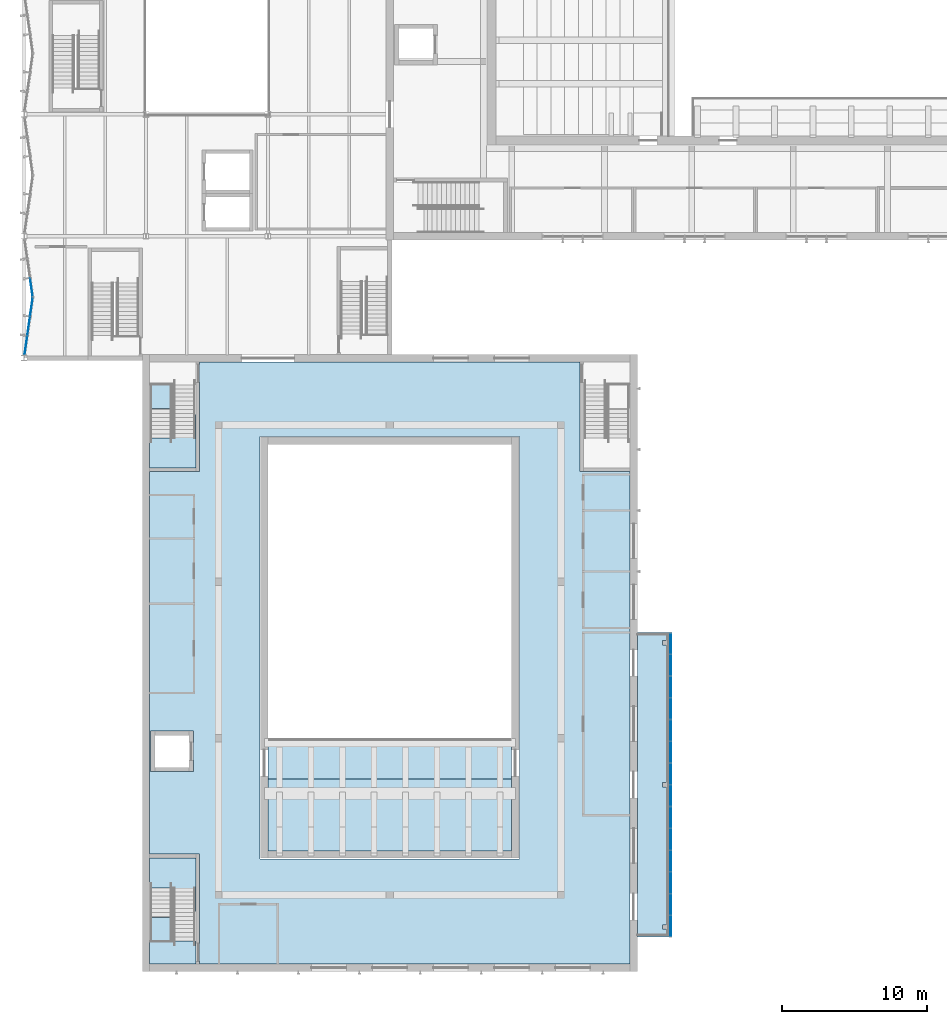
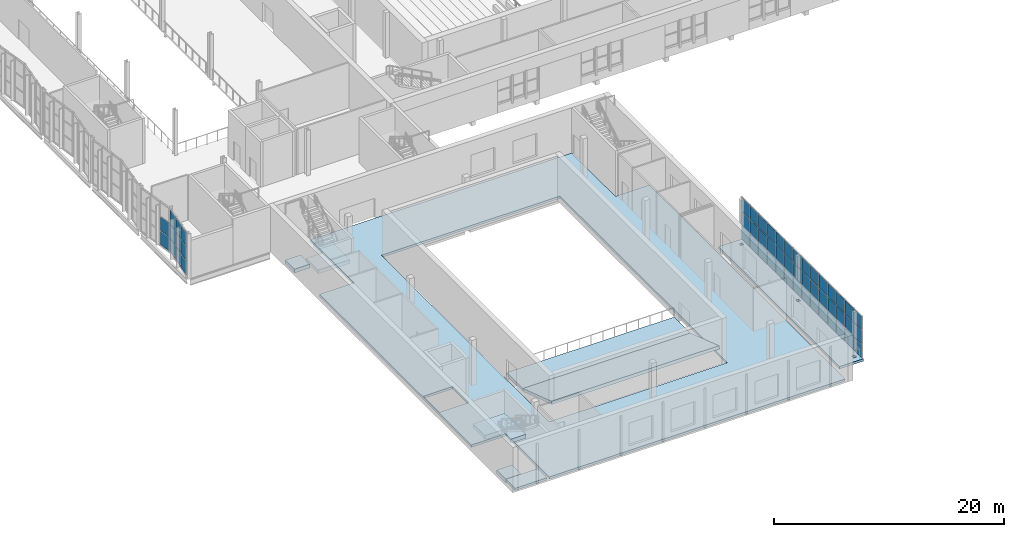
# One storey, part 54 of 127: 53 plates, 9 slabs, 5 elements without a shape of their own.
"""IFC4 building model written with IfcOpenShell, lengths in metres."""

from ifc_helpers import new_model, si_unit, direction, frame, origin, origin_2d, place, context, subcontext, project, spatial, polyline, rectangle, outline, extrude, material, layer, layer_set, type_object, element, aggregate, save


model = new_model("IFC4")

# Units and contexts
model_context = context("Model", 3, precision=1e-05, world=origin(), true_north=direction((0.0, 1.0)))
body_context = subcontext(model_context, "Body", "Model", "MODEL_VIEW")
ifc_project = project(units=[si_unit("LENGTHUNIT", "METRE"), si_unit("AREAUNIT", "SQUARE_METRE"), si_unit("VOLUMEUNIT", "CUBIC_METRE"), si_unit("PLANEANGLEUNIT", "RADIAN"), si_unit("MASSUNIT", "GRAM", prefix="KILO")], contexts=[model_context])

# Site, building, storey
site_placement = place(None, origin())
site = spatial("IfcSite", under=ifc_project, at=site_placement, CompositionType="ELEMENT")
building_placement = place(site_placement, origin())
building = spatial("IfcBuilding", under=site, at=building_placement, Name="Ljudholm Concert House", CompositionType="ELEMENT")
storey_placement = place(building_placement, frame((0.0, 0.0, 5.39990234375)))
storey = spatial("IfcBuildingStorey", under=building, at=storey_placement, Name="L01", CompositionType="ELEMENT", Elevation=5.39990234375)

# Curtain wall, plates
ifc_material_1 = material(Name="Aluminium curtain wall with impact-rated laminated glass", Category="aluminium")
curtain_wall_type_1 = type_object("IfcCurtainWallType", Name="CURTAIN WALL 1400", PredefinedType="NOTDEFINED", material=ifc_material_1)
curtain_wall_1_placement = place(storey_placement, origin())
curtain_wall_1 = element("IfcCurtainWall", 1, at=curtain_wall_1_placement, inside=storey, type_object=curtain_wall_type_1, Name="Facade curtain wall", PredefinedType="NOTDEFINED")
ifc_material_2 = material(Name="Impact-rated laminated glass", Category="glass")
ifc_layer_1 = layer(ifc_material_2, 0.028076171875)
ifc_layer_set_1 = layer_set([ifc_layer_1], Name="Impact-rated laminated glass")
plate_type_1 = type_object("IfcPlateType", Name="CURTAIN PANEL 28", PredefinedType="CURTAIN_PANEL", material=ifc_layer_set_1)
plate_1_placement = place(storey_placement, frame((4.1279296875, 46.896240234375, 0.06005859375), z_axis=(0.0, 0.0, 1.0), x_axis=(0.141421356338, 0.989949493647, 0.0)))
plate_1 = element("IfcPlate", 2, at=plate_1_placement, type_object=plate_type_1, Name="Curtain wall panel", PredefinedType="CURTAIN_PANEL", context=body_context, shape_type="SweptSolid", body=[
    extrude(rectangle(XDim=1.2509765625, YDim=0.028076171875, at=origin_2d()), origin(), (0.0, 0.0, 1.0), 1.449951171875),
])
plate_2_placement = place(storey_placement, frame((4.1279296875, 46.896240234375, 1.570068359375), z_axis=(0.0, 0.0, 1.0), x_axis=(0.141421356338, 0.989949493647, 0.0)))
plate_2 = element("IfcPlate", 3, at=plate_2_placement, type_object=plate_type_1, Name="Curtain wall panel", PredefinedType="CURTAIN_PANEL", context=body_context, shape_type="SweptSolid", body=[
    extrude(rectangle(XDim=1.2509765625, YDim=0.028076171875, at=origin_2d()), origin(), (0.0, 0.0, 1.0), 1.47998046875),
])
plate_3_placement = place(storey_placement, frame((4.1279296875, 46.896240234375, 3.1103515625), z_axis=(0.0, 0.0, 1.0), x_axis=(0.141421356338, 0.989949493647, 0.0)))
plate_3 = element("IfcPlate", 4, at=plate_3_placement, type_object=plate_type_1, Name="Curtain wall panel", PredefinedType="CURTAIN_PANEL", context=body_context, shape_type="SweptSolid", body=[
    extrude(rectangle(XDim=1.2509765625, YDim=0.028076171875, at=origin_2d()), origin(), (0.0, 0.0, 1.0), 1.449951171875),
])
plate_4_placement = place(storey_placement, frame((4.315673828125, 48.208984375, 0.06005859375), z_axis=(0.0, 0.0, 1.0), x_axis=(0.141421356338, 0.989949493647, 0.0)))
plate_4 = element("IfcPlate", 5, at=plate_4_placement, type_object=plate_type_1, Name="Curtain wall panel", PredefinedType="CURTAIN_PANEL", context=body_context, shape_type="SweptSolid", body=[
    extrude(rectangle(XDim=1.28076171875, YDim=0.028076171875, at=origin_2d()), origin(), (0.0, 0.0, 1.0), 1.449951171875),
])
plate_5_placement = place(storey_placement, frame((4.315673828125, 48.208984375, 1.570068359375), z_axis=(0.0, 0.0, 1.0), x_axis=(0.141421356338, 0.989949493647, 0.0)))
plate_5 = element("IfcPlate", 6, at=plate_5_placement, type_object=plate_type_1, Name="Curtain wall panel", PredefinedType="CURTAIN_PANEL", context=body_context, shape_type="SweptSolid", body=[
    extrude(rectangle(XDim=1.28076171875, YDim=0.028076171875, at=origin_2d()), origin(), (0.0, 0.0, 1.0), 1.47998046875),
])
plate_6_placement = place(storey_placement, frame((4.315673828125, 48.208984375, 3.1103515625), z_axis=(0.0, 0.0, 1.0), x_axis=(0.141421356338, 0.989949493647, 0.0)))
plate_6 = element("IfcPlate", 7, at=plate_6_placement, type_object=plate_type_1, Name="Curtain wall panel", PredefinedType="CURTAIN_PANEL", context=body_context, shape_type="SweptSolid", body=[
    extrude(rectangle(XDim=1.28076171875, YDim=0.028076171875, at=origin_2d()), origin(), (0.0, 0.0, 1.0), 1.449951171875),
])
plate_7_placement = place(storey_placement, frame((4.503173828125, 49.521484375, 0.06005859375), z_axis=(0.0, 0.0, 1.0), x_axis=(0.141421356338, 0.989949493647, 0.0)))
plate_7 = element("IfcPlate", 8, at=plate_7_placement, type_object=plate_type_1, Name="Curtain wall panel", PredefinedType="CURTAIN_PANEL", context=body_context, shape_type="SweptSolid", body=[
    extrude(rectangle(XDim=1.2509765625, YDim=0.028076171875, at=origin_2d()), origin(), (0.0, 0.0, 1.0), 1.449951171875),
])
plate_8_placement = place(storey_placement, frame((4.503173828125, 49.521484375, 1.570068359375), z_axis=(0.0, 0.0, 1.0), x_axis=(0.141421356338, 0.989949493647, 0.0)))
plate_8 = element("IfcPlate", 9, at=plate_8_placement, type_object=plate_type_1, Name="Curtain wall panel", PredefinedType="CURTAIN_PANEL", context=body_context, shape_type="SweptSolid", body=[
    extrude(rectangle(XDim=1.2509765625, YDim=0.028076171875, at=origin_2d()), origin(), (0.0, 0.0, 1.0), 1.47998046875),
])
plate_9_placement = place(storey_placement, frame((4.503173828125, 49.521484375, 3.1103515625), z_axis=(0.0, 0.0, 1.0), x_axis=(0.141421356338, 0.989949493647, 0.0)))
plate_9 = element("IfcPlate", 10, at=plate_9_placement, type_object=plate_type_1, Name="Curtain wall panel", PredefinedType="CURTAIN_PANEL", context=body_context, shape_type="SweptSolid", body=[
    extrude(rectangle(XDim=1.2509765625, YDim=0.028076171875, at=origin_2d()), origin(), (0.0, 0.0, 1.0), 1.449951171875),
])
aggregate(curtain_wall_1, [plate_1, plate_2, plate_3, plate_4, plate_5, plate_6, plate_7, plate_8, plate_9])

curtain_wall_2_placement = place(storey_placement, origin())
curtain_wall_2 = element("IfcCurtainWall", 11, at=curtain_wall_2_placement, inside=storey, type_object=curtain_wall_type_1, Name="Facade curtain wall", PredefinedType="NOTDEFINED")
plate_10_placement = place(storey_placement, frame((4.503173828125, 50.878662109375, 0.06005859375), z_axis=(0.0, 0.0, 1.0), x_axis=(-0.141421356338, 0.989949493647, 0.0)))
plate_10 = element("IfcPlate", 12, at=plate_10_placement, type_object=plate_type_1, Name="Curtain wall panel", PredefinedType="CURTAIN_PANEL", context=body_context, shape_type="SweptSolid", body=[
    extrude(rectangle(XDim=1.2509765625, YDim=0.028076171875, at=origin_2d()), origin(), (0.0, 0.0, 1.0), 1.449951171875),
])
plate_11_placement = place(storey_placement, frame((4.503173828125, 50.878662109375, 1.570068359375), z_axis=(0.0, 0.0, 1.0), x_axis=(-0.141421356338, 0.989949493647, 0.0)))
plate_11 = element("IfcPlate", 13, at=plate_11_placement, type_object=plate_type_1, Name="Curtain wall panel", PredefinedType="CURTAIN_PANEL", context=body_context, shape_type="SweptSolid", body=[
    extrude(rectangle(XDim=1.2509765625, YDim=0.028076171875, at=origin_2d()), origin(), (0.0, 0.0, 1.0), 1.47998046875),
])
aggregate(curtain_wall_2, [plate_10, plate_11])

ifc_material_3 = material(Name="Aluminium curtain wall with fixed aluminium storm louvre blades, timber-grain pvdf finish", Category="aluminium")
curtain_wall_type_2 = type_object("IfcCurtainWallType", Name="CURTAIN WALL 1500", PredefinedType="NOTDEFINED", material=ifc_material_3)
curtain_wall_3_placement = place(storey_placement, origin())
curtain_wall_3 = element("IfcCurtainWall", 14, at=curtain_wall_3_placement, inside=storey, type_object=curtain_wall_type_2, Name="Storm louvre screen", PredefinedType="NOTDEFINED")
ifc_material_4 = material(Name="Fixed aluminium storm louvre blades, timber-grain PVDF finish", Category="aluminium")
ifc_layer_2 = layer(ifc_material_4, 0.06005859375)
ifc_layer_set_2 = layer_set([ifc_layer_2], Name="Fixed aluminium storm louvre blades, timber-grain PVDF finish")
plate_type_2 = type_object("IfcPlateType", Name="CURTAIN PANEL 60", PredefinedType="CURTAIN_PANEL", material=ifc_layer_set_2)
plate_12_placement = place(storey_placement, frame((48.550048828125, 6.8701171875, 0.080078125), z_axis=(0.0, 0.0, 1.0), x_axis=(0.0, 1.0, 0.0)))
plate_12 = element("IfcPlate", 15, at=plate_12_placement, type_object=plate_type_2, Name="Curtain wall panel", PredefinedType="CURTAIN_PANEL", context=body_context, shape_type="SweptSolid", body=[
    extrude(rectangle(XDim=1.3798828125, YDim=0.06005859375, at=origin_2d()), origin(), (0.0, 0.0, 1.0), 1.396728515625),
])
plate_13_placement = place(storey_placement, frame((48.550048828125, 6.8701171875, 1.556640625), z_axis=(0.0, 0.0, 1.0), x_axis=(0.0, 1.0, 0.0)))
plate_13 = element("IfcPlate", 16, at=plate_13_placement, type_object=plate_type_2, Name="Curtain wall panel", PredefinedType="CURTAIN_PANEL", context=body_context, shape_type="SweptSolid", body=[
    extrude(rectangle(XDim=1.3798828125, YDim=0.06005859375, at=origin_2d()), origin(), (0.0, 0.0, 1.0), 1.436767578125),
])
plate_14_placement = place(storey_placement, frame((48.550048828125, 6.8701171875, 3.0732421875), z_axis=(0.0, 0.0, 1.0), x_axis=(0.0, 1.0, 0.0)))
plate_14 = element("IfcPlate", 17, at=plate_14_placement, type_object=plate_type_2, Name="Curtain wall panel", PredefinedType="CURTAIN_PANEL", context=body_context, shape_type="SweptSolid", body=[
    extrude(rectangle(XDim=1.3798828125, YDim=0.06005859375, at=origin_2d()), origin(), (0.0, 0.0, 1.0), 1.396728515625),
])
plate_15_placement = place(storey_placement, frame((48.550048828125, 8.35009765625, 0.080078125), z_axis=(0.0, 0.0, 1.0), x_axis=(0.0, 1.0, 0.0)))
plate_15 = element("IfcPlate", 18, at=plate_15_placement, type_object=plate_type_2, Name="Curtain wall panel", PredefinedType="CURTAIN_PANEL", context=body_context, shape_type="SweptSolid", body=[
    extrude(rectangle(XDim=1.419921875, YDim=0.06005859375, at=origin_2d()), origin(), (0.0, 0.0, 1.0), 1.396728515625),
])
plate_16_placement = place(storey_placement, frame((48.550048828125, 8.35009765625, 1.556640625), z_axis=(0.0, 0.0, 1.0), x_axis=(0.0, 1.0, 0.0)))
plate_16 = element("IfcPlate", 19, at=plate_16_placement, type_object=plate_type_2, Name="Curtain wall panel", PredefinedType="CURTAIN_PANEL", context=body_context, shape_type="SweptSolid", body=[
    extrude(rectangle(XDim=1.419921875, YDim=0.06005859375, at=origin_2d()), origin(), (0.0, 0.0, 1.0), 1.436767578125),
])
plate_17_placement = place(storey_placement, frame((48.550048828125, 8.35009765625, 3.0732421875), z_axis=(0.0, 0.0, 1.0), x_axis=(0.0, 1.0, 0.0)))
plate_17 = element("IfcPlate", 20, at=plate_17_placement, type_object=plate_type_2, Name="Curtain wall panel", PredefinedType="CURTAIN_PANEL", context=body_context, shape_type="SweptSolid", body=[
    extrude(rectangle(XDim=1.419921875, YDim=0.06005859375, at=origin_2d()), origin(), (0.0, 0.0, 1.0), 1.396728515625),
])
plate_18_placement = place(storey_placement, frame((48.550048828125, 9.85009765625, 0.080078125), z_axis=(0.0, 0.0, 1.0), x_axis=(0.0, 1.0, 0.0)))
plate_18 = element("IfcPlate", 21, at=plate_18_placement, type_object=plate_type_2, Name="Curtain wall panel", PredefinedType="CURTAIN_PANEL", context=body_context, shape_type="SweptSolid", body=[
    extrude(rectangle(XDim=1.419921875, YDim=0.06005859375, at=origin_2d()), origin(), (0.0, 0.0, 1.0), 1.396728515625),
])
plate_19_placement = place(storey_placement, frame((48.550048828125, 9.85009765625, 1.556640625), z_axis=(0.0, 0.0, 1.0), x_axis=(0.0, 1.0, 0.0)))
plate_19 = element("IfcPlate", 22, at=plate_19_placement, type_object=plate_type_2, Name="Curtain wall panel", PredefinedType="CURTAIN_PANEL", context=body_context, shape_type="SweptSolid", body=[
    extrude(rectangle(XDim=1.419921875, YDim=0.06005859375, at=origin_2d()), origin(), (0.0, 0.0, 1.0), 1.436767578125),
])
plate_20_placement = place(storey_placement, frame((48.550048828125, 9.85009765625, 3.0732421875), z_axis=(0.0, 0.0, 1.0), x_axis=(0.0, 1.0, 0.0)))
plate_20 = element("IfcPlate", 23, at=plate_20_placement, type_object=plate_type_2, Name="Curtain wall panel", PredefinedType="CURTAIN_PANEL", context=body_context, shape_type="SweptSolid", body=[
    extrude(rectangle(XDim=1.419921875, YDim=0.06005859375, at=origin_2d()), origin(), (0.0, 0.0, 1.0), 1.396728515625),
])
plate_21_placement = place(storey_placement, frame((48.550048828125, 11.35009765625, 0.080078125), z_axis=(0.0, 0.0, 1.0), x_axis=(0.0, 1.0, 0.0)))
plate_21 = element("IfcPlate", 24, at=plate_21_placement, type_object=plate_type_2, Name="Curtain wall panel", PredefinedType="CURTAIN_PANEL", context=body_context, shape_type="SweptSolid", body=[
    extrude(rectangle(XDim=1.419921875, YDim=0.06005859375, at=origin_2d()), origin(), (0.0, 0.0, 1.0), 1.396728515625),
])
plate_22_placement = place(storey_placement, frame((48.550048828125, 11.35009765625, 1.556640625), z_axis=(0.0, 0.0, 1.0), x_axis=(0.0, 1.0, 0.0)))
plate_22 = element("IfcPlate", 25, at=plate_22_placement, type_object=plate_type_2, Name="Curtain wall panel", PredefinedType="CURTAIN_PANEL", context=body_context, shape_type="SweptSolid", body=[
    extrude(rectangle(XDim=1.419921875, YDim=0.06005859375, at=origin_2d()), origin(), (0.0, 0.0, 1.0), 1.436767578125),
])
plate_23_placement = place(storey_placement, frame((48.550048828125, 11.35009765625, 3.0732421875), z_axis=(0.0, 0.0, 1.0), x_axis=(0.0, 1.0, 0.0)))
plate_23 = element("IfcPlate", 26, at=plate_23_placement, type_object=plate_type_2, Name="Curtain wall panel", PredefinedType="CURTAIN_PANEL", context=body_context, shape_type="SweptSolid", body=[
    extrude(rectangle(XDim=1.419921875, YDim=0.06005859375, at=origin_2d()), origin(), (0.0, 0.0, 1.0), 1.396728515625),
])
plate_24_placement = place(storey_placement, frame((48.550048828125, 12.85009765625, 0.080078125), z_axis=(0.0, 0.0, 1.0), x_axis=(0.0, 1.0, 0.0)))
plate_24 = element("IfcPlate", 27, at=plate_24_placement, type_object=plate_type_2, Name="Curtain wall panel", PredefinedType="CURTAIN_PANEL", context=body_context, shape_type="SweptSolid", body=[
    extrude(rectangle(XDim=1.419921875, YDim=0.06005859375, at=origin_2d()), origin(), (0.0, 0.0, 1.0), 1.396728515625),
])
plate_25_placement = place(storey_placement, frame((48.550048828125, 12.85009765625, 1.556640625), z_axis=(0.0, 0.0, 1.0), x_axis=(0.0, 1.0, 0.0)))
plate_25 = element("IfcPlate", 28, at=plate_25_placement, type_object=plate_type_2, Name="Curtain wall panel", PredefinedType="CURTAIN_PANEL", context=body_context, shape_type="SweptSolid", body=[
    extrude(rectangle(XDim=1.419921875, YDim=0.06005859375, at=origin_2d()), origin(), (0.0, 0.0, 1.0), 1.436767578125),
])
plate_26_placement = place(storey_placement, frame((48.550048828125, 12.85009765625, 3.0732421875), z_axis=(0.0, 0.0, 1.0), x_axis=(0.0, 1.0, 0.0)))
plate_26 = element("IfcPlate", 29, at=plate_26_placement, type_object=plate_type_2, Name="Curtain wall panel", PredefinedType="CURTAIN_PANEL", context=body_context, shape_type="SweptSolid", body=[
    extrude(rectangle(XDim=1.419921875, YDim=0.06005859375, at=origin_2d()), origin(), (0.0, 0.0, 1.0), 1.396728515625),
])
plate_27_placement = place(storey_placement, frame((48.550048828125, 14.35009765625, 0.080078125), z_axis=(0.0, 0.0, 1.0), x_axis=(0.0, 1.0, 0.0)))
plate_27 = element("IfcPlate", 30, at=plate_27_placement, type_object=plate_type_2, Name="Curtain wall panel", PredefinedType="CURTAIN_PANEL", context=body_context, shape_type="SweptSolid", body=[
    extrude(rectangle(XDim=1.419921875, YDim=0.06005859375, at=origin_2d()), origin(), (0.0, 0.0, 1.0), 1.396728515625),
])
plate_28_placement = place(storey_placement, frame((48.550048828125, 14.35009765625, 1.556640625), z_axis=(0.0, 0.0, 1.0), x_axis=(0.0, 1.0, 0.0)))
plate_28 = element("IfcPlate", 31, at=plate_28_placement, type_object=plate_type_2, Name="Curtain wall panel", PredefinedType="CURTAIN_PANEL", context=body_context, shape_type="SweptSolid", body=[
    extrude(rectangle(XDim=1.419921875, YDim=0.06005859375, at=origin_2d()), origin(), (0.0, 0.0, 1.0), 1.436767578125),
])
plate_29_placement = place(storey_placement, frame((48.550048828125, 14.35009765625, 3.0732421875), z_axis=(0.0, 0.0, 1.0), x_axis=(0.0, 1.0, 0.0)))
plate_29 = element("IfcPlate", 32, at=plate_29_placement, type_object=plate_type_2, Name="Curtain wall panel", PredefinedType="CURTAIN_PANEL", context=body_context, shape_type="SweptSolid", body=[
    extrude(rectangle(XDim=1.419921875, YDim=0.06005859375, at=origin_2d()), origin(), (0.0, 0.0, 1.0), 1.396728515625),
])
plate_30_placement = place(storey_placement, frame((48.550048828125, 15.85009765625, 0.080078125), z_axis=(0.0, 0.0, 1.0), x_axis=(0.0, 1.0, 0.0)))
plate_30 = element("IfcPlate", 33, at=plate_30_placement, type_object=plate_type_2, Name="Curtain wall panel", PredefinedType="CURTAIN_PANEL", context=body_context, shape_type="SweptSolid", body=[
    extrude(rectangle(XDim=1.419921875, YDim=0.06005859375, at=origin_2d()), origin(), (0.0, 0.0, 1.0), 1.396728515625),
])
plate_31_placement = place(storey_placement, frame((48.550048828125, 15.85009765625, 1.556640625), z_axis=(0.0, 0.0, 1.0), x_axis=(0.0, 1.0, 0.0)))
plate_31 = element("IfcPlate", 34, at=plate_31_placement, type_object=plate_type_2, Name="Curtain wall panel", PredefinedType="CURTAIN_PANEL", context=body_context, shape_type="SweptSolid", body=[
    extrude(rectangle(XDim=1.419921875, YDim=0.06005859375, at=origin_2d()), origin(), (0.0, 0.0, 1.0), 1.436767578125),
])
plate_32_placement = place(storey_placement, frame((48.550048828125, 15.85009765625, 3.0732421875), z_axis=(0.0, 0.0, 1.0), x_axis=(0.0, 1.0, 0.0)))
plate_32 = element("IfcPlate", 35, at=plate_32_placement, type_object=plate_type_2, Name="Curtain wall panel", PredefinedType="CURTAIN_PANEL", context=body_context, shape_type="SweptSolid", body=[
    extrude(rectangle(XDim=1.419921875, YDim=0.06005859375, at=origin_2d()), origin(), (0.0, 0.0, 1.0), 1.396728515625),
])
plate_33_placement = place(storey_placement, frame((48.550048828125, 17.35009765625, 0.080078125), z_axis=(0.0, 0.0, 1.0), x_axis=(0.0, 1.0, 0.0)))
plate_33 = element("IfcPlate", 36, at=plate_33_placement, type_object=plate_type_2, Name="Curtain wall panel", PredefinedType="CURTAIN_PANEL", context=body_context, shape_type="SweptSolid", body=[
    extrude(rectangle(XDim=1.419921875, YDim=0.06005859375, at=origin_2d()), origin(), (0.0, 0.0, 1.0), 1.396728515625),
])
plate_34_placement = place(storey_placement, frame((48.550048828125, 17.35009765625, 1.556640625), z_axis=(0.0, 0.0, 1.0), x_axis=(0.0, 1.0, 0.0)))
plate_34 = element("IfcPlate", 37, at=plate_34_placement, type_object=plate_type_2, Name="Curtain wall panel", PredefinedType="CURTAIN_PANEL", context=body_context, shape_type="SweptSolid", body=[
    extrude(rectangle(XDim=1.419921875, YDim=0.06005859375, at=origin_2d()), origin(), (0.0, 0.0, 1.0), 1.436767578125),
])
plate_35_placement = place(storey_placement, frame((48.550048828125, 17.35009765625, 3.0732421875), z_axis=(0.0, 0.0, 1.0), x_axis=(0.0, 1.0, 0.0)))
plate_35 = element("IfcPlate", 38, at=plate_35_placement, type_object=plate_type_2, Name="Curtain wall panel", PredefinedType="CURTAIN_PANEL", context=body_context, shape_type="SweptSolid", body=[
    extrude(rectangle(XDim=1.419921875, YDim=0.06005859375, at=origin_2d()), origin(), (0.0, 0.0, 1.0), 1.396728515625),
])
plate_36_placement = place(storey_placement, frame((48.550048828125, 18.85009765625, 0.080078125), z_axis=(0.0, 0.0, 1.0), x_axis=(0.0, 1.0, 0.0)))
plate_36 = element("IfcPlate", 39, at=plate_36_placement, type_object=plate_type_2, Name="Curtain wall panel", PredefinedType="CURTAIN_PANEL", context=body_context, shape_type="SweptSolid", body=[
    extrude(rectangle(XDim=1.419921875, YDim=0.06005859375, at=origin_2d()), origin(), (0.0, 0.0, 1.0), 1.396728515625),
])
plate_37_placement = place(storey_placement, frame((48.550048828125, 18.85009765625, 1.556640625), z_axis=(0.0, 0.0, 1.0), x_axis=(0.0, 1.0, 0.0)))
plate_37 = element("IfcPlate", 40, at=plate_37_placement, type_object=plate_type_2, Name="Curtain wall panel", PredefinedType="CURTAIN_PANEL", context=body_context, shape_type="SweptSolid", body=[
    extrude(rectangle(XDim=1.419921875, YDim=0.06005859375, at=origin_2d()), origin(), (0.0, 0.0, 1.0), 1.436767578125),
])
plate_38_placement = place(storey_placement, frame((48.550048828125, 18.85009765625, 3.0732421875), z_axis=(0.0, 0.0, 1.0), x_axis=(0.0, 1.0, 0.0)))
plate_38 = element("IfcPlate", 41, at=plate_38_placement, type_object=plate_type_2, Name="Curtain wall panel", PredefinedType="CURTAIN_PANEL", context=body_context, shape_type="SweptSolid", body=[
    extrude(rectangle(XDim=1.419921875, YDim=0.06005859375, at=origin_2d()), origin(), (0.0, 0.0, 1.0), 1.396728515625),
])
plate_39_placement = place(storey_placement, frame((48.550048828125, 20.35009765625, 0.080078125), z_axis=(0.0, 0.0, 1.0), x_axis=(0.0, 1.0, 0.0)))
plate_39 = element("IfcPlate", 42, at=plate_39_placement, type_object=plate_type_2, Name="Curtain wall panel", PredefinedType="CURTAIN_PANEL", context=body_context, shape_type="SweptSolid", body=[
    extrude(rectangle(XDim=1.419921875, YDim=0.06005859375, at=origin_2d()), origin(), (0.0, 0.0, 1.0), 1.396728515625),
])
plate_40_placement = place(storey_placement, frame((48.550048828125, 20.35009765625, 1.556640625), z_axis=(0.0, 0.0, 1.0), x_axis=(0.0, 1.0, 0.0)))
plate_40 = element("IfcPlate", 43, at=plate_40_placement, type_object=plate_type_2, Name="Curtain wall panel", PredefinedType="CURTAIN_PANEL", context=body_context, shape_type="SweptSolid", body=[
    extrude(rectangle(XDim=1.419921875, YDim=0.06005859375, at=origin_2d()), origin(), (0.0, 0.0, 1.0), 1.436767578125),
])
plate_41_placement = place(storey_placement, frame((48.550048828125, 20.35009765625, 3.0732421875), z_axis=(0.0, 0.0, 1.0), x_axis=(0.0, 1.0, 0.0)))
plate_41 = element("IfcPlate", 44, at=plate_41_placement, type_object=plate_type_2, Name="Curtain wall panel", PredefinedType="CURTAIN_PANEL", context=body_context, shape_type="SweptSolid", body=[
    extrude(rectangle(XDim=1.419921875, YDim=0.06005859375, at=origin_2d()), origin(), (0.0, 0.0, 1.0), 1.396728515625),
])
plate_42_placement = place(storey_placement, frame((48.550048828125, 21.85009765625, 0.080078125), z_axis=(0.0, 0.0, 1.0), x_axis=(0.0, 1.0, 0.0)))
plate_42 = element("IfcPlate", 45, at=plate_42_placement, type_object=plate_type_2, Name="Curtain wall panel", PredefinedType="CURTAIN_PANEL", context=body_context, shape_type="SweptSolid", body=[
    extrude(rectangle(XDim=1.419921875, YDim=0.06005859375, at=origin_2d()), origin(), (0.0, 0.0, 1.0), 1.396728515625),
])
plate_43_placement = place(storey_placement, frame((48.550048828125, 21.85009765625, 1.556640625), z_axis=(0.0, 0.0, 1.0), x_axis=(0.0, 1.0, 0.0)))
plate_43 = element("IfcPlate", 46, at=plate_43_placement, type_object=plate_type_2, Name="Curtain wall panel", PredefinedType="CURTAIN_PANEL", context=body_context, shape_type="SweptSolid", body=[
    extrude(rectangle(XDim=1.419921875, YDim=0.06005859375, at=origin_2d()), origin(), (0.0, 0.0, 1.0), 1.436767578125),
])
plate_44_placement = place(storey_placement, frame((48.550048828125, 21.85009765625, 3.0732421875), z_axis=(0.0, 0.0, 1.0), x_axis=(0.0, 1.0, 0.0)))
plate_44 = element("IfcPlate", 47, at=plate_44_placement, type_object=plate_type_2, Name="Curtain wall panel", PredefinedType="CURTAIN_PANEL", context=body_context, shape_type="SweptSolid", body=[
    extrude(rectangle(XDim=1.419921875, YDim=0.06005859375, at=origin_2d()), origin(), (0.0, 0.0, 1.0), 1.396728515625),
])
plate_45_placement = place(storey_placement, frame((48.550048828125, 23.35009765625, 0.080078125), z_axis=(0.0, 0.0, 1.0), x_axis=(0.0, 1.0, 0.0)))
plate_45 = element("IfcPlate", 48, at=plate_45_placement, type_object=plate_type_2, Name="Curtain wall panel", PredefinedType="CURTAIN_PANEL", context=body_context, shape_type="SweptSolid", body=[
    extrude(rectangle(XDim=1.419921875, YDim=0.06005859375, at=origin_2d()), origin(), (0.0, 0.0, 1.0), 1.396728515625),
])
plate_46_placement = place(storey_placement, frame((48.550048828125, 23.35009765625, 1.556640625), z_axis=(0.0, 0.0, 1.0), x_axis=(0.0, 1.0, 0.0)))
plate_46 = element("IfcPlate", 49, at=plate_46_placement, type_object=plate_type_2, Name="Curtain wall panel", PredefinedType="CURTAIN_PANEL", context=body_context, shape_type="SweptSolid", body=[
    extrude(rectangle(XDim=1.419921875, YDim=0.06005859375, at=origin_2d()), origin(), (0.0, 0.0, 1.0), 1.436767578125),
])
plate_47_placement = place(storey_placement, frame((48.550048828125, 23.35009765625, 3.0732421875), z_axis=(0.0, 0.0, 1.0), x_axis=(0.0, 1.0, 0.0)))
plate_47 = element("IfcPlate", 50, at=plate_47_placement, type_object=plate_type_2, Name="Curtain wall panel", PredefinedType="CURTAIN_PANEL", context=body_context, shape_type="SweptSolid", body=[
    extrude(rectangle(XDim=1.419921875, YDim=0.06005859375, at=origin_2d()), origin(), (0.0, 0.0, 1.0), 1.396728515625),
])
plate_48_placement = place(storey_placement, frame((48.550048828125, 24.85009765625, 0.080078125), z_axis=(0.0, 0.0, 1.0), x_axis=(0.0, 1.0, 0.0)))
plate_48 = element("IfcPlate", 51, at=plate_48_placement, type_object=plate_type_2, Name="Curtain wall panel", PredefinedType="CURTAIN_PANEL", context=body_context, shape_type="SweptSolid", body=[
    extrude(rectangle(XDim=1.419921875, YDim=0.06005859375, at=origin_2d()), origin(), (0.0, 0.0, 1.0), 1.396728515625),
])
plate_49_placement = place(storey_placement, frame((48.550048828125, 24.85009765625, 1.556640625), z_axis=(0.0, 0.0, 1.0), x_axis=(0.0, 1.0, 0.0)))
plate_49 = element("IfcPlate", 52, at=plate_49_placement, type_object=plate_type_2, Name="Curtain wall panel", PredefinedType="CURTAIN_PANEL", context=body_context, shape_type="SweptSolid", body=[
    extrude(rectangle(XDim=1.419921875, YDim=0.06005859375, at=origin_2d()), origin(), (0.0, 0.0, 1.0), 1.436767578125),
])
plate_50_placement = place(storey_placement, frame((48.550048828125, 24.85009765625, 3.0732421875), z_axis=(0.0, 0.0, 1.0), x_axis=(0.0, 1.0, 0.0)))
plate_50 = element("IfcPlate", 53, at=plate_50_placement, type_object=plate_type_2, Name="Curtain wall panel", PredefinedType="CURTAIN_PANEL", context=body_context, shape_type="SweptSolid", body=[
    extrude(rectangle(XDim=1.419921875, YDim=0.06005859375, at=origin_2d()), origin(), (0.0, 0.0, 1.0), 1.396728515625),
])
plate_51_placement = place(storey_placement, frame((48.550048828125, 26.330078125, 0.080078125), z_axis=(0.0, 0.0, 1.0), x_axis=(0.0, 1.0, 0.0)))
plate_51 = element("IfcPlate", 54, at=plate_51_placement, type_object=plate_type_2, Name="Curtain wall panel", PredefinedType="CURTAIN_PANEL", context=body_context, shape_type="SweptSolid", body=[
    extrude(rectangle(XDim=1.3798828125, YDim=0.06005859375, at=origin_2d()), origin(), (0.0, 0.0, 1.0), 1.396728515625),
])
plate_52_placement = place(storey_placement, frame((48.550048828125, 26.330078125, 1.556640625), z_axis=(0.0, 0.0, 1.0), x_axis=(0.0, 1.0, 0.0)))
plate_52 = element("IfcPlate", 55, at=plate_52_placement, type_object=plate_type_2, Name="Curtain wall panel", PredefinedType="CURTAIN_PANEL", context=body_context, shape_type="SweptSolid", body=[
    extrude(rectangle(XDim=1.3798828125, YDim=0.06005859375, at=origin_2d()), origin(), (0.0, 0.0, 1.0), 1.436767578125),
])
plate_53_placement = place(storey_placement, frame((48.550048828125, 26.330078125, 3.0732421875), z_axis=(0.0, 0.0, 1.0), x_axis=(0.0, 1.0, 0.0)))
plate_53 = element("IfcPlate", 56, at=plate_53_placement, type_object=plate_type_2, Name="Curtain wall panel", PredefinedType="CURTAIN_PANEL", context=body_context, shape_type="SweptSolid", body=[
    extrude(rectangle(XDim=1.3798828125, YDim=0.06005859375, at=origin_2d()), origin(), (0.0, 0.0, 1.0), 1.396728515625),
])
aggregate(curtain_wall_3, [plate_12, plate_13, plate_14, plate_15, plate_16, plate_17, plate_18, plate_19, plate_20, plate_21, plate_22, plate_23, plate_24, plate_25, plate_26, plate_27, plate_28, plate_29, plate_30, plate_31, plate_32, plate_33, plate_34, plate_35, plate_36, plate_37, plate_38, plate_39, plate_40, plate_41, plate_42, plate_43, plate_44, plate_45, plate_46, plate_47, plate_48, plate_49, plate_50, plate_51, plate_52, plate_53])

# Slabs
ifc_material_5 = material(Name="Concrete 5,000 psi", Category="concrete")
ifc_layer_3 = layer(ifc_material_5, 0.300048828125)
ifc_layer_set_3 = layer_set([ifc_layer_3], Name="Concrete 5,000 psi")
slab_type_1 = type_object("IfcSlabType", Name="RAKED TIER SLAB 300", PredefinedType="USERDEFINED", material=ifc_layer_set_3)
slab_1_placement = place(storey_placement, frame((20.800048828125, 17.0, 0.0), z_axis=(0.0, 0.316255840076, 0.948673939569), x_axis=(1.0, 0.0, 0.0)))
element("IfcSlab", 57, at=slab_1_placement, inside=storey, type_object=slab_type_1, Name="Stand Gallery 1", ObjectType="SEATING TIER", PredefinedType="USERDEFINED", context=body_context, shape_type="SweptSolid", body=[
    extrude(outline(polyline([(0.0, 0.0), (16.800048828125, 0.0), (16.800048828125, -5.21775814156251), (0.0, -5.21775814156251), (0.0, 0.0)])), origin(), (0.0, 0.0, -1.0), 0.300048828125),
])
ifc_material_6 = material(Name="Concrete 5,000 psi", Category="concrete")
ifc_layer_4 = layer(ifc_material_6, 0.25)
ifc_layer_set_4 = layer_set([ifc_layer_4], Name="Concrete 5,000 psi")
slab_type_2 = type_object("IfcSlabType", Name="RC FLOOR SLAB 250", PredefinedType="FLOOR", material=ifc_layer_set_4)
slab_2_placement = place(storey_placement, frame((0.0, 0.0, -0.25)))
element("IfcSlab", 58, at=slab_2_placement, inside=storey, type_object=slab_type_2, Name="Ring floor", PredefinedType="FLOOR", context=body_context, shape_type="SweptSolid", body=[
    extrude(outline(polyline([(45.75, 4.25), (16.10009765625, 4.25), (16.10009765625, 11.820068359375), (12.64990234375, 11.820068359375), (12.64990234375, 38.179931640625), (16.10009765625, 38.179931640625), (16.10009765625, 45.75), (42.300048828125, 45.75), (42.300048828125, 38.179931640625), (45.75, 38.179931640625), (45.75, 4.25)]), holes=[polyline([(12.72509765625, 17.5), (15.675048828125, 17.5), (15.675048828125, 20.300048828125), (12.72509765625, 20.300048828125), (12.72509765625, 17.5)]), polyline([(20.25, 11.5), (38.14990234375, 11.5), (38.14990234375, 40.60009765625), (20.25, 40.60009765625), (20.25, 11.5)])]), origin(), (0.0, 0.0, 1.0), 0.25),
])
slab_3_placement = place(storey_placement, frame((0.0, 0.0, -0.25)))
element("IfcSlab", 59, at=slab_3_placement, inside=storey, type_object=slab_type_2, Name="Stair arrival floor EC1", PredefinedType="FLOOR", context=body_context, shape_type="SweptSolid", body=[
    extrude(outline(polyline([(12.64990234375, 4.25), (15.85009765625, 4.25), (15.85009765625, 5.85009765625), (12.64990234375, 5.85009765625), (12.64990234375, 4.25)])), origin(), (0.0, 0.0, 1.0), 0.25),
])
ifc_material_7 = material(Name="Concrete 5,000 psi", Category="concrete")
ifc_layer_5 = layer(ifc_material_7, 0.25)
ifc_layer_set_5 = layer_set([ifc_layer_5], Name="Concrete 5,000 psi")
slab_type_3 = type_object("IfcSlabType", Name="RC FLOOR SLAB 250 EXTERNAL", PredefinedType="FLOOR", material=ifc_layer_set_5)
slab_4_placement = place(storey_placement, frame((0.0, 0.0, -0.25)))
element("IfcSlab", 60, at=slab_4_placement, inside=storey, type_object=slab_type_3, Name="Loggia slab", PredefinedType="FLOOR", context=body_context, shape_type="SweptSolid", body=[
    extrude(outline(polyline([(46.25, 6.10009765625), (48.64990234375, 6.10009765625), (48.64990234375, 27.10009765625), (46.25, 27.10009765625), (46.25, 6.10009765625)]), holes=[polyline([(48.0, 6.64990234375), (48.300048828125, 6.64990234375), (48.300048828125, 6.949951171875), (48.0, 6.949951171875), (48.0, 6.64990234375)]), polyline([(48.0, 16.449951171875), (48.300048828125, 16.449951171875), (48.300048828125, 16.75), (48.0, 16.75), (48.0, 16.449951171875)]), polyline([(48.0, 26.25), (48.300048828125, 26.25), (48.300048828125, 26.550048828125), (48.0, 26.550048828125), (48.0, 26.25)])]), origin(), (0.0, 0.0, 1.0), 0.25),
])
ifc_material_8 = material(Name="Concrete 5,000 psi", Category="concrete")
ifc_layer_6 = layer(ifc_material_8, 0.300048828125)
ifc_layer_set_6 = layer_set([ifc_layer_6], Name="Concrete 5,000 psi")
slab_type_4 = type_object("IfcSlabType", Name="RC FLOOR SLAB 300", PredefinedType="FLOOR", material=ifc_layer_set_6)
slab_5_placement = place(storey_placement, frame((0.0, 0.0, -0.2998046875)))
element("IfcSlab", 61, at=slab_5_placement, inside=storey, type_object=slab_type_4, Name="Gallery cross aisle floor", PredefinedType="FLOOR", context=body_context, shape_type="SweptSolid", body=[
    extrude(outline(polyline([(20.800048828125, 17.0), (37.60009765625, 17.0), (37.60009765625, 19.800048828125), (20.800048828125, 19.800048828125), (20.800048828125, 17.0)])), origin(), (0.0, 0.0, 1.0), 0.2998046875),
])

# Stair, slabs
ifc_material_9 = material(Name="Concrete 5,000 psi", Category="concrete")
stair_type = type_object("IfcStairType", Name="RC STAIR 1500x171x280", PredefinedType="HALF_TURN_STAIR", material=ifc_material_9)
stair_1_placement = place(storey_placement, origin())
stair_1 = element("IfcStair", 62, at=stair_1_placement, inside=storey, type_object=stair_type, Name="Exit stair EC1", PredefinedType="HALF_TURN_STAIR")
ifc_material_10 = material(Name="Concrete 5,000 psi", Category="concrete")
ifc_layer_7 = layer(ifc_material_10, 0.409912109375)
ifc_layer_set_7 = layer_set([ifc_layer_7], Name="Concrete 5,000 psi")
slab_type_5 = type_object("IfcSlabType", Name="RC LANDING 410", PredefinedType="LANDING", material=ifc_layer_set_7)
slab_6_placement = place(storey_placement, frame((0.0, 0.0, 1.989990234375)))
slab_6 = element("IfcSlab", 63, at=slab_6_placement, type_object=slab_type_5, Name="Stair landing", PredefinedType="LANDING", context=body_context, shape_type="SweptSolid", body=[
    extrude(outline(polyline([(15.85009765625, 11.570068359375), (12.64990234375, 11.570068359375), (12.64990234375, 9.489501953125), (14.300048828125, 9.489501953125), (14.300048828125, 7.884033203125), (15.85009765625, 7.884033203125), (15.85009765625, 11.570068359375)])), origin(), (0.0, 0.0, 1.0), 0.41015625),
])
slab_7_placement = place(storey_placement, frame((0.0, 0.0, -0.409912109375)))
slab_7 = element("IfcSlab", 64, at=slab_7_placement, type_object=slab_type_5, Name="Stair landing", PredefinedType="LANDING", context=body_context, shape_type="SweptSolid", body=[
    extrude(outline(polyline([(14.199951171875, 7.4560546875), (12.64990234375, 7.4560546875), (12.64990234375, 5.85009765625), (14.199951171875, 5.85009765625), (14.199951171875, 7.4560546875)])), origin(), (0.0, 0.0, 1.0), 0.409912109375),
])
aggregate(stair_1, [slab_6, slab_7])

stair_2_placement = place(storey_placement, origin())
stair_2 = element("IfcStair", 65, at=stair_2_placement, inside=storey, type_object=stair_type, Name="Exit stair EC2", PredefinedType="HALF_TURN_STAIR")
slab_8_placement = place(storey_placement, frame((0.0, 0.0, 1.989990234375)))
slab_8 = element("IfcSlab", 66, at=slab_8_placement, type_object=slab_type_5, Name="Stair landing", PredefinedType="LANDING", context=body_context, shape_type="SweptSolid", body=[
    extrude(outline(polyline([(15.85009765625, 42.115966796875), (14.300048828125, 42.115966796875), (14.300048828125, 40.510498046875), (12.64990234375, 40.510498046875), (12.64990234375, 38.429931640625), (15.85009765625, 38.429931640625), (15.85009765625, 42.115966796875)])), origin(), (0.0, 0.0, 1.0), 0.41015625),
])
slab_9_placement = place(storey_placement, frame((0.0, 0.0, -0.409912109375)))
slab_9 = element("IfcSlab", 67, at=slab_9_placement, type_object=slab_type_5, Name="Stair landing", PredefinedType="LANDING", context=body_context, shape_type="SweptSolid", body=[
    extrude(outline(polyline([(12.64990234375, 42.5439453125), (14.199951171875, 42.5439453125), (14.199951171875, 44.14990234375), (12.64990234375, 44.14990234375), (12.64990234375, 42.5439453125)])), origin(), (0.0, 0.0, 1.0), 0.409912109375),
])
aggregate(stair_2, [slab_8, slab_9])

save(model, "model.ifc")
